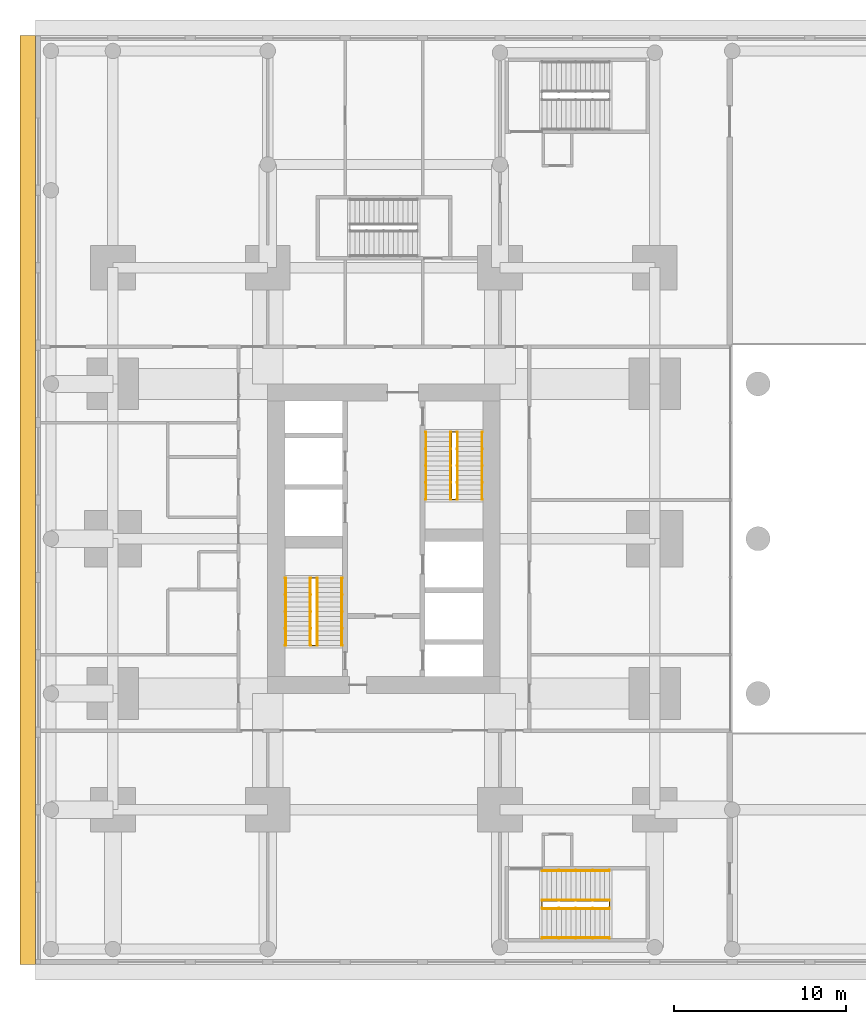
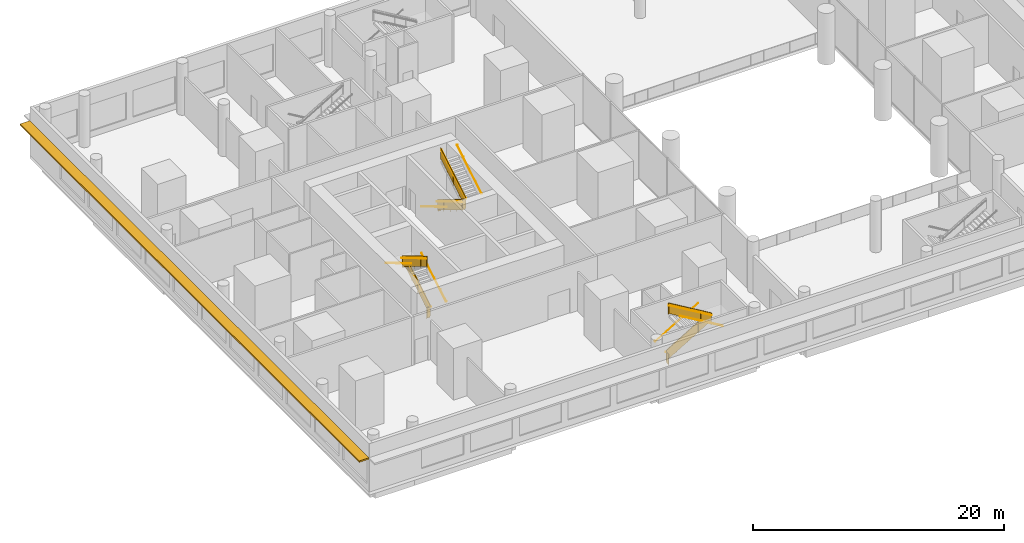
# One storey, part 18 of 21: 15 railings, 1 shading device.
"""IFC4 building model written with IfcOpenShell, lengths in metres."""

from ifc_helpers import new_model, si_unit, direction, frame, origin, origin_2d, place, context, subcontext, project, spatial, polyline, rectangle, circle, outline, extrude, material, layer, layer_set, type_object, element, save


model = new_model("IFC4")

# Units and contexts
model_context = context("Model", 3, precision=1e-05, world=origin(), true_north=direction((0.0, 1.0)))
body_context = subcontext(model_context, "Body", "Model", "MODEL_VIEW")
ifc_project = project(units=[si_unit("LENGTHUNIT", "METRE"), si_unit("AREAUNIT", "SQUARE_METRE"), si_unit("VOLUMEUNIT", "CUBIC_METRE"), si_unit("PLANEANGLEUNIT", "RADIAN"), si_unit("MASSUNIT", "GRAM", prefix="KILO")], contexts=[model_context])

# Site, building, storey
site_placement = place(None, origin())
site = spatial("IfcSite", under=ifc_project, at=site_placement, CompositionType="ELEMENT")
building_placement = place(site_placement, origin())
building = spatial("IfcBuilding", under=site, at=building_placement, Name="Namib Vertical Campus", CompositionType="ELEMENT")
storey_placement = place(building_placement, frame((0.0, 0.0, 6.0)))
storey = spatial("IfcBuildingStorey", under=building, at=storey_placement, Name="L01", CompositionType="ELEMENT", Elevation=6.0)

# Railings
ifc_material_1 = material(Name="Steel handrail", Category="steel")
railing_type_1 = type_object("IfcRailingType", Name="Handrail 900", PredefinedType="HANDRAIL", material=ifc_material_1)
railing_1_placement = place(storey_placement, frame((17.800048828125, 14.050048828125, 0.166748046875)))
element("IfcRailing", 1, at=railing_1_placement, inside=storey, type_object=railing_type_1, Name="Handrail HR1 A-S1 L01 1", PredefinedType="HANDRAIL", context=body_context, shape_type="SweptSolid", body=[
    extrude(circle(Radius=0.02392578125, at=origin_2d()), frame((0.0, 0.0, 0.8759765625), z_axis=(0.0, 0.859296244711, 0.511478214419), x_axis=(-1.0, 0.0, 0.0)), (0.0, 0.0, 1.0), 4.561767578125),
    extrude(circle(Radius=0.008056640625, at=origin_2d()), frame((0.0, 0.0, 0.8759765625), z_axis=(1.0, 0.0, 0.0), x_axis=(0.0, 0.0, 1.0)), (0.0, 0.0, 1.0), 0.050048828125),
    extrude(circle(Radius=0.008056640625, at=origin_2d()), frame((0.0, 0.97998046875, 1.459228515625), z_axis=(1.0, 0.0, 0.0), x_axis=(0.0, 0.0, 1.0)), (0.0, 0.0, 1.0), 0.050048828125),
    extrude(circle(Radius=0.008056640625, at=origin_2d()), frame((0.0, 1.9599609375, 2.04248046875), z_axis=(1.0, 0.0, 0.0), x_axis=(0.0, 0.0, 1.0)), (0.0, 0.0, 1.0), 0.050048828125),
    extrude(circle(Radius=0.008056640625, at=origin_2d()), frame((0.0, 2.93994140625, 2.625732421875), z_axis=(1.0, 0.0, 0.0), x_axis=(0.0, 0.0, 1.0)), (0.0, 0.0, 1.0), 0.050048828125),
    extrude(circle(Radius=0.008056640625, at=origin_2d()), frame((0.0, 3.919921875, 3.208984375), z_axis=(1.0, 0.0, 0.0), x_axis=(0.0, 0.0, 1.0)), (0.0, 0.0, 1.0), 0.050048828125),
])
railing_2_placement = place(storey_placement, frame((14.550048828125, 17.969970703125, 2.666748046875)))
element("IfcRailing", 2, at=railing_2_placement, inside=storey, type_object=railing_type_1, Name="Handrail HR1 A-S1 L01 2", PredefinedType="HANDRAIL", context=body_context, shape_type="SweptSolid", body=[
    extrude(circle(Radius=0.02392578125, at=origin_2d()), frame((0.0, 0.0, 0.8759765625), z_axis=(0.0, -0.859296244711, 0.511478214419), x_axis=(1.0, 0.0, 0.0)), (0.0, 0.0, 1.0), 4.561767578125),
    extrude(circle(Radius=0.008056640625, at=origin_2d()), frame((0.0, 0.0, 0.8759765625), z_axis=(-1.0, 0.0, 0.0), x_axis=(0.0, 0.0, 1.0)), (0.0, 0.0, 1.0), 0.050048828125),
    extrude(circle(Radius=0.008056640625, at=origin_2d()), frame((0.0, -0.97998046875, 1.459228515625), z_axis=(-1.0, 0.0, 0.0), x_axis=(0.0, 0.0, 1.0)), (0.0, 0.0, 1.0), 0.050048828125),
    extrude(circle(Radius=0.008056640625, at=origin_2d()), frame((0.0, -1.9599609375, 2.04248046875), z_axis=(-1.0, 0.0, 0.0), x_axis=(0.0, 0.0, 1.0)), (0.0, 0.0, 1.0), 0.050048828125),
    extrude(circle(Radius=0.008056640625, at=origin_2d()), frame((0.0, -2.93994140625, 2.625732421875), z_axis=(-1.0, 0.0, 0.0), x_axis=(0.0, 0.0, 1.0)), (0.0, 0.0, 1.0), 0.050048828125),
    extrude(circle(Radius=0.008056640625, at=origin_2d()), frame((0.0, -3.919921875, 3.208984375), z_axis=(-1.0, 0.0, 0.0), x_axis=(0.0, 0.0, 1.0)), (0.0, 0.0, 1.0), 0.050048828125),
])
railing_3_placement = place(storey_placement, frame((16.375, 14.050048828125, 0.166748046875)))
element("IfcRailing", 3, at=railing_3_placement, inside=storey, type_object=railing_type_1, Name="Handrail HR1 A-S1 L01 1 at the well", PredefinedType="HANDRAIL", context=body_context, shape_type="SweptSolid", body=[
    extrude(circle(Radius=0.02392578125, at=origin_2d()), frame((0.0, 0.0, 0.8759765625), z_axis=(0.0, 0.859296244711, 0.511478214419), x_axis=(-1.0, 0.0, 0.0)), (0.0, 0.0, 1.0), 4.561767578125),
    extrude(circle(Radius=0.008056640625, at=origin_2d()), frame((0.0, 0.0, 0.8759765625), z_axis=(-1.0, 0.0, 0.0), x_axis=(0.0, 0.0, 1.0)), (0.0, 0.0, 1.0), 0.0400390625),
    extrude(circle(Radius=0.008056640625, at=origin_2d()), frame((0.0, 0.97998046875, 1.459228515625), z_axis=(-1.0, 0.0, 0.0), x_axis=(0.0, 0.0, 1.0)), (0.0, 0.0, 1.0), 0.0400390625),
    extrude(circle(Radius=0.008056640625, at=origin_2d()), frame((0.0, 1.9599609375, 2.04248046875), z_axis=(-1.0, 0.0, 0.0), x_axis=(0.0, 0.0, 1.0)), (0.0, 0.0, 1.0), 0.0400390625),
    extrude(circle(Radius=0.008056640625, at=origin_2d()), frame((0.0, 2.93994140625, 2.625732421875), z_axis=(-1.0, 0.0, 0.0), x_axis=(0.0, 0.0, 1.0)), (0.0, 0.0, 1.0), 0.0400390625),
    extrude(circle(Radius=0.008056640625, at=origin_2d()), frame((0.0, 3.919921875, 3.208984375), z_axis=(-1.0, 0.0, 0.0), x_axis=(0.0, 0.0, 1.0)), (0.0, 0.0, 1.0), 0.0400390625),
])
railing_4_placement = place(storey_placement, frame((15.97509765625, 17.969970703125, 2.666748046875)))
element("IfcRailing", 4, at=railing_4_placement, inside=storey, type_object=railing_type_1, Name="Handrail HR1 A-S1 L01 2 at the well", PredefinedType="HANDRAIL", context=body_context, shape_type="SweptSolid", body=[
    extrude(circle(Radius=0.02392578125, at=origin_2d()), frame((0.0, 0.0, 0.8759765625), z_axis=(0.0, -0.859296244711, 0.511478214419), x_axis=(1.0, 0.0, 0.0)), (0.0, 0.0, 1.0), 4.561767578125),
    extrude(circle(Radius=0.008056640625, at=origin_2d()), frame((0.0, 0.0, 0.8759765625), z_axis=(1.0, 0.0, 0.0), x_axis=(0.0, 0.0, 1.0)), (0.0, 0.0, 1.0), 0.0400390625),
    extrude(circle(Radius=0.008056640625, at=origin_2d()), frame((0.0, -0.97998046875, 1.459228515625), z_axis=(1.0, 0.0, 0.0), x_axis=(0.0, 0.0, 1.0)), (0.0, 0.0, 1.0), 0.0400390625),
    extrude(circle(Radius=0.008056640625, at=origin_2d()), frame((0.0, -1.9599609375, 2.04248046875), z_axis=(1.0, 0.0, 0.0), x_axis=(0.0, 0.0, 1.0)), (0.0, 0.0, 1.0), 0.0400390625),
    extrude(circle(Radius=0.008056640625, at=origin_2d()), frame((0.0, -2.93994140625, 2.625732421875), z_axis=(1.0, 0.0, 0.0), x_axis=(0.0, 0.0, 1.0)), (0.0, 0.0, 1.0), 0.0400390625),
    extrude(circle(Radius=0.008056640625, at=origin_2d()), frame((0.0, -3.919921875, 3.208984375), z_axis=(1.0, 0.0, 0.0), x_axis=(0.0, 0.0, 1.0)), (0.0, 0.0, 1.0), 0.0400390625),
])
railing_5_placement = place(storey_placement, frame((22.699951171875, 26.449951171875, 0.166748046875)))
element("IfcRailing", 5, at=railing_5_placement, inside=storey, type_object=railing_type_1, Name="Handrail HR1 A-S2 L01 1", PredefinedType="HANDRAIL", context=body_context, shape_type="SweptSolid", body=[
    extrude(circle(Radius=0.02392578125, at=origin_2d()), frame((0.0, 0.0, 0.8759765625), z_axis=(0.0, -0.859296244711, 0.511478214419), x_axis=(1.0, 0.0, 0.0)), (0.0, 0.0, 1.0), 4.561767578125),
    extrude(circle(Radius=0.008056640625, at=origin_2d()), frame((0.0, 0.0, 0.8759765625), z_axis=(-1.0, 0.0, 0.0), x_axis=(0.0, 0.0, 1.0)), (0.0, 0.0, 1.0), 0.050048828125),
    extrude(circle(Radius=0.008056640625, at=origin_2d()), frame((0.0, -0.97998046875, 1.459228515625), z_axis=(-1.0, 0.0, 0.0), x_axis=(0.0, 0.0, 1.0)), (0.0, 0.0, 1.0), 0.050048828125),
    extrude(circle(Radius=0.008056640625, at=origin_2d()), frame((0.0, -1.9599609375, 2.04248046875), z_axis=(-1.0, 0.0, 0.0), x_axis=(0.0, 0.0, 1.0)), (0.0, 0.0, 1.0), 0.050048828125),
    extrude(circle(Radius=0.008056640625, at=origin_2d()), frame((0.0, -2.93994140625, 2.625732421875), z_axis=(-1.0, 0.0, 0.0), x_axis=(0.0, 0.0, 1.0)), (0.0, 0.0, 1.0), 0.050048828125),
    extrude(circle(Radius=0.008056640625, at=origin_2d()), frame((0.0, -3.919921875, 3.208984375), z_axis=(-1.0, 0.0, 0.0), x_axis=(0.0, 0.0, 1.0)), (0.0, 0.0, 1.0), 0.050048828125),
])
railing_6_placement = place(storey_placement, frame((25.949951171875, 22.530029296875, 2.666748046875)))
element("IfcRailing", 6, at=railing_6_placement, inside=storey, type_object=railing_type_1, Name="Handrail HR1 A-S2 L01 2", PredefinedType="HANDRAIL", context=body_context, shape_type="SweptSolid", body=[
    extrude(circle(Radius=0.02392578125, at=origin_2d()), frame((0.0, 0.0, 0.8759765625), z_axis=(0.0, 0.859296244711, 0.511478214419), x_axis=(-1.0, 0.0, 0.0)), (0.0, 0.0, 1.0), 4.561767578125),
    extrude(circle(Radius=0.008056640625, at=origin_2d()), frame((0.0, 0.0, 0.8759765625), z_axis=(1.0, 0.0, 0.0), x_axis=(0.0, 0.0, 1.0)), (0.0, 0.0, 1.0), 0.050048828125),
    extrude(circle(Radius=0.008056640625, at=origin_2d()), frame((0.0, 0.97998046875, 1.459228515625), z_axis=(1.0, 0.0, 0.0), x_axis=(0.0, 0.0, 1.0)), (0.0, 0.0, 1.0), 0.050048828125),
    extrude(circle(Radius=0.008056640625, at=origin_2d()), frame((0.0, 1.9599609375, 2.04248046875), z_axis=(1.0, 0.0, 0.0), x_axis=(0.0, 0.0, 1.0)), (0.0, 0.0, 1.0), 0.050048828125),
    extrude(circle(Radius=0.008056640625, at=origin_2d()), frame((0.0, 2.93994140625, 2.625732421875), z_axis=(1.0, 0.0, 0.0), x_axis=(0.0, 0.0, 1.0)), (0.0, 0.0, 1.0), 0.050048828125),
    extrude(circle(Radius=0.008056640625, at=origin_2d()), frame((0.0, 3.919921875, 3.208984375), z_axis=(1.0, 0.0, 0.0), x_axis=(0.0, 0.0, 1.0)), (0.0, 0.0, 1.0), 0.050048828125),
])
railing_7_placement = place(storey_placement, frame((24.125, 26.449951171875, 0.166748046875)))
element("IfcRailing", 7, at=railing_7_placement, inside=storey, type_object=railing_type_1, Name="Handrail HR1 A-S2 L01 1 at the well", PredefinedType="HANDRAIL", context=body_context, shape_type="SweptSolid", body=[
    extrude(circle(Radius=0.02392578125, at=origin_2d()), frame((0.0, 0.0, 0.8759765625), z_axis=(0.0, -0.859296244711, 0.511478214419), x_axis=(1.0, 0.0, 0.0)), (0.0, 0.0, 1.0), 4.561767578125),
    extrude(circle(Radius=0.008056640625, at=origin_2d()), frame((0.0, 0.0, 0.8759765625), z_axis=(1.0, 0.0, 0.0), x_axis=(0.0, 0.0, 1.0)), (0.0, 0.0, 1.0), 0.0400390625),
    extrude(circle(Radius=0.008056640625, at=origin_2d()), frame((0.0, -0.97998046875, 1.459228515625), z_axis=(1.0, 0.0, 0.0), x_axis=(0.0, 0.0, 1.0)), (0.0, 0.0, 1.0), 0.0400390625),
    extrude(circle(Radius=0.008056640625, at=origin_2d()), frame((0.0, -1.9599609375, 2.04248046875), z_axis=(1.0, 0.0, 0.0), x_axis=(0.0, 0.0, 1.0)), (0.0, 0.0, 1.0), 0.0400390625),
    extrude(circle(Radius=0.008056640625, at=origin_2d()), frame((0.0, -2.93994140625, 2.625732421875), z_axis=(1.0, 0.0, 0.0), x_axis=(0.0, 0.0, 1.0)), (0.0, 0.0, 1.0), 0.0400390625),
    extrude(circle(Radius=0.008056640625, at=origin_2d()), frame((0.0, -3.919921875, 3.208984375), z_axis=(1.0, 0.0, 0.0), x_axis=(0.0, 0.0, 1.0)), (0.0, 0.0, 1.0), 0.0400390625),
])
railing_8_placement = place(storey_placement, frame((24.52490234375, 22.530029296875, 2.666748046875)))
element("IfcRailing", 8, at=railing_8_placement, inside=storey, type_object=railing_type_1, Name="Handrail HR1 A-S2 L01 2 at the well", PredefinedType="HANDRAIL", context=body_context, shape_type="SweptSolid", body=[
    extrude(circle(Radius=0.02392578125, at=origin_2d()), frame((0.0, 0.0, 0.8759765625), z_axis=(0.0, 0.859296244711, 0.511478214419), x_axis=(-1.0, 0.0, 0.0)), (0.0, 0.0, 1.0), 4.561767578125),
    extrude(circle(Radius=0.008056640625, at=origin_2d()), frame((0.0, 0.0, 0.8759765625), z_axis=(-1.0, 0.0, 0.0), x_axis=(0.0, 0.0, 1.0)), (0.0, 0.0, 1.0), 0.0400390625),
    extrude(circle(Radius=0.008056640625, at=origin_2d()), frame((0.0, 0.97998046875, 1.459228515625), z_axis=(-1.0, 0.0, 0.0), x_axis=(0.0, 0.0, 1.0)), (0.0, 0.0, 1.0), 0.0400390625),
    extrude(circle(Radius=0.008056640625, at=origin_2d()), frame((0.0, 1.9599609375, 2.04248046875), z_axis=(-1.0, 0.0, 0.0), x_axis=(0.0, 0.0, 1.0)), (0.0, 0.0, 1.0), 0.0400390625),
    extrude(circle(Radius=0.008056640625, at=origin_2d()), frame((0.0, 2.93994140625, 2.625732421875), z_axis=(-1.0, 0.0, 0.0), x_axis=(0.0, 0.0, 1.0)), (0.0, 0.0, 1.0), 0.0400390625),
    extrude(circle(Radius=0.008056640625, at=origin_2d()), frame((0.0, 3.919921875, 3.208984375), z_axis=(-1.0, 0.0, 0.0), x_axis=(0.0, 0.0, 1.0)), (0.0, 0.0, 1.0), 0.0400390625),
])
railing_9_placement = place(storey_placement, frame((29.446044921875, 0.949951171875, 0.166748046875)))
element("IfcRailing", 9, at=railing_9_placement, inside=storey, type_object=railing_type_1, Name="Handrail HR1 P-S2 L01 1", PredefinedType="HANDRAIL", context=body_context, shape_type="SweptSolid", body=[
    extrude(circle(Radius=0.02392578125, at=origin_2d()), frame((0.0, 0.0, 0.8759765625), z_axis=(0.859310244771, 0.0, 0.511454693235), x_axis=(0.0, 1.0, 0.0)), (0.0, 0.0, 1.0), 4.56201171875),
    extrude(circle(Radius=0.008056640625, at=origin_2d()), frame((0.0, 0.0, 0.8759765625), z_axis=(0.0, 1.0, 0.0), x_axis=(0.0, 0.0, 1.0)), (0.0, 0.0, 1.0), 0.050048828125),
    extrude(circle(Radius=0.008056640625, at=origin_2d()), frame((0.97998046875, 0.0, 1.459228515625), z_axis=(0.0, 1.0, 0.0), x_axis=(0.0, 0.0, 1.0)), (0.0, 0.0, 1.0), 0.050048828125),
    extrude(circle(Radius=0.008056640625, at=origin_2d()), frame((1.9599609375, 0.0, 2.04248046875), z_axis=(0.0, 1.0, 0.0), x_axis=(0.0, 0.0, 1.0)), (0.0, 0.0, 1.0), 0.050048828125),
    extrude(circle(Radius=0.008056640625, at=origin_2d()), frame((2.940185546875, 0.0, 2.625732421875), z_axis=(0.0, 1.0, 0.0), x_axis=(0.0, 0.0, 1.0)), (0.0, 0.0, 1.0), 0.050048828125),
    extrude(circle(Radius=0.008056640625, at=origin_2d()), frame((3.920166015625, 0.0, 3.208984375), z_axis=(0.0, 1.0, 0.0), x_axis=(0.0, 0.0, 1.0)), (0.0, 0.0, 1.0), 0.050048828125),
])
railing_10_placement = place(storey_placement, frame((33.3662109375, -2.949951171875, 2.666748046875)))
element("IfcRailing", 10, at=railing_10_placement, inside=storey, type_object=railing_type_1, Name="Handrail HR1 P-S2 L01 2", PredefinedType="HANDRAIL", context=body_context, shape_type="SweptSolid", body=[
    extrude(circle(Radius=0.02392578125, at=origin_2d()), frame((0.0, 0.0, 0.8759765625), z_axis=(-0.859310244771, 0.0, 0.511454693235), x_axis=(0.0, -1.0, 0.0)), (0.0, 0.0, 1.0), 4.56201171875),
    extrude(circle(Radius=0.008056640625, at=origin_2d()), frame((0.0, 0.0, 0.8759765625), z_axis=(0.0, -1.0, 0.0), x_axis=(0.0, 0.0, 1.0)), (0.0, 0.0, 1.0), 0.050048828125),
    extrude(circle(Radius=0.008056640625, at=origin_2d()), frame((-0.97998046875, 0.0, 1.459228515625), z_axis=(0.0, -1.0, 0.0), x_axis=(0.0, 0.0, 1.0)), (0.0, 0.0, 1.0), 0.050048828125),
    extrude(circle(Radius=0.008056640625, at=origin_2d()), frame((-1.9599609375, 0.0, 2.04248046875), z_axis=(0.0, -1.0, 0.0), x_axis=(0.0, 0.0, 1.0)), (0.0, 0.0, 1.0), 0.050048828125),
    extrude(circle(Radius=0.008056640625, at=origin_2d()), frame((-2.940185546875, 0.0, 2.625732421875), z_axis=(0.0, -1.0, 0.0), x_axis=(0.0, 0.0, 1.0)), (0.0, 0.0, 1.0), 0.050048828125),
    extrude(circle(Radius=0.008056640625, at=origin_2d()), frame((-3.920166015625, 0.0, 3.208984375), z_axis=(0.0, -1.0, 0.0), x_axis=(0.0, 0.0, 1.0)), (0.0, 0.0, 1.0), 0.050048828125),
])
railing_11_placement = place(storey_placement, frame((29.446044921875, -0.75, 0.166748046875)))
element("IfcRailing", 11, at=railing_11_placement, inside=storey, type_object=railing_type_1, Name="Handrail HR1 P-S2 L01 1 at the well", PredefinedType="HANDRAIL", context=body_context, shape_type="SweptSolid", body=[
    extrude(circle(Radius=0.02392578125, at=origin_2d()), frame((0.0, 0.0, 0.8759765625), z_axis=(0.859310244771, 0.0, 0.511454693235), x_axis=(0.0, 1.0, 0.0)), (0.0, 0.0, 1.0), 4.56201171875),
    extrude(circle(Radius=0.008056640625, at=origin_2d()), frame((0.0, 0.0, 0.8759765625), z_axis=(0.0, -1.0, 0.0), x_axis=(0.0, 0.0, 1.0)), (0.0, 0.0, 1.0), 0.0400390625),
    extrude(circle(Radius=0.008056640625, at=origin_2d()), frame((0.97998046875, 0.0, 1.459228515625), z_axis=(0.0, -1.0, 0.0), x_axis=(0.0, 0.0, 1.0)), (0.0, 0.0, 1.0), 0.0400390625),
    extrude(circle(Radius=0.008056640625, at=origin_2d()), frame((1.9599609375, 0.0, 2.04248046875), z_axis=(0.0, -1.0, 0.0), x_axis=(0.0, 0.0, 1.0)), (0.0, 0.0, 1.0), 0.0400390625),
    extrude(circle(Radius=0.008056640625, at=origin_2d()), frame((2.940185546875, 0.0, 2.625732421875), z_axis=(0.0, -1.0, 0.0), x_axis=(0.0, 0.0, 1.0)), (0.0, 0.0, 1.0), 0.0400390625),
    extrude(circle(Radius=0.008056640625, at=origin_2d()), frame((3.920166015625, 0.0, 3.208984375), z_axis=(0.0, -1.0, 0.0), x_axis=(0.0, 0.0, 1.0)), (0.0, 0.0, 1.0), 0.0400390625),
])
railing_12_placement = place(storey_placement, frame((33.3662109375, -1.25, 2.666748046875)))
element("IfcRailing", 12, at=railing_12_placement, inside=storey, type_object=railing_type_1, Name="Handrail HR1 P-S2 L01 2 at the well", PredefinedType="HANDRAIL", context=body_context, shape_type="SweptSolid", body=[
    extrude(circle(Radius=0.02392578125, at=origin_2d()), frame((0.0, 0.0, 0.8759765625), z_axis=(-0.859310244771, 0.0, 0.511454693235), x_axis=(0.0, -1.0, 0.0)), (0.0, 0.0, 1.0), 4.56201171875),
    extrude(circle(Radius=0.008056640625, at=origin_2d()), frame((0.0, 0.0, 0.8759765625), z_axis=(0.0, 1.0, 0.0), x_axis=(0.0, 0.0, 1.0)), (0.0, 0.0, 1.0), 0.0400390625),
    extrude(circle(Radius=0.008056640625, at=origin_2d()), frame((-0.97998046875, 0.0, 1.459228515625), z_axis=(0.0, 1.0, 0.0), x_axis=(0.0, 0.0, 1.0)), (0.0, 0.0, 1.0), 0.0400390625),
    extrude(circle(Radius=0.008056640625, at=origin_2d()), frame((-1.9599609375, 0.0, 2.04248046875), z_axis=(0.0, 1.0, 0.0), x_axis=(0.0, 0.0, 1.0)), (0.0, 0.0, 1.0), 0.0400390625),
    extrude(circle(Radius=0.008056640625, at=origin_2d()), frame((-2.940185546875, 0.0, 2.625732421875), z_axis=(0.0, 1.0, 0.0), x_axis=(0.0, 0.0, 1.0)), (0.0, 0.0, 1.0), 0.0400390625),
    extrude(circle(Radius=0.008056640625, at=origin_2d()), frame((-3.920166015625, 0.0, 3.208984375), z_axis=(0.0, 1.0, 0.0), x_axis=(0.0, 0.0, 1.0)), (0.0, 0.0, 1.0), 0.0400390625),
])
ifc_material_2 = material(Name="Steel balustrade", Category="steel")
railing_type_2 = type_object("IfcRailingType", Name="Stair guard 1100", PredefinedType="GUARDRAIL", material=ifc_material_2)
railing_13_placement = place(storey_placement, frame((16.02490234375, 14.050048828125, 0.0)))
element("IfcRailing", 13, at=railing_13_placement, inside=storey, type_object=railing_type_2, Name="Stair guard GR1 A-S1 L01", PredefinedType="GUARDRAIL", context=body_context, shape_type="SweptSolid", body=[
    extrude(circle(Radius=0.02392578125, at=origin_2d()), frame((0.0, 0.0, 1.076171875), z_axis=(1.0, 0.0, 0.0), x_axis=(0.0, 1.0, 0.0)), (0.0, 0.0, 1.0), 0.300048828125),
    extrude(outline(polyline([(0.02099609375, 0.050048828125), (0.279052734375, 0.050048828125), (0.279052734375, 1.052001953125), (0.02099609375, 1.052001953125), (0.02099609375, 0.050048828125)])), frame((0.0, 0.010009765625, 0.0), z_axis=(0.0, -1.0, 0.0), x_axis=(1.0, 0.0, 0.0)), (0.0, 0.0, 1.0), 0.02001953125),
    extrude(circle(Radius=0.02392578125, at=origin_2d()), frame((0.300048828125, 0.0, 1.076171875), z_axis=(0.0, 0.0, 1.0), x_axis=(1.0, 0.0, 0.0)), (0.0, 0.0, 1.0), 0.166748046875),
    extrude(circle(Radius=0.02392578125, at=origin_2d()), frame((0.300048828125, 0.0, 1.24267578125), z_axis=(0.0, 0.859296244711, 0.511478214419), x_axis=(-1.0, 0.0, 0.0)), (0.0, 0.0, 1.0), 4.561767578125),
    extrude(outline(polyline([(0.02099609375, 0.0625), (3.89892578125, 2.370849609375), (3.89892578125, 3.372802734375), (0.02099609375, 1.064453125), (0.02099609375, 0.0625)])), frame((0.2900390625, 0.0, 0.166748046875), z_axis=(1.0, 0.0, 0.0), x_axis=(0.0, 1.0, 0.0)), (0.0, 0.0, 1.0), 0.02001953125),
    extrude(circle(Radius=0.02392578125, at=origin_2d()), frame((0.300048828125, 3.919921875, 3.576171875), z_axis=(-1.0, 0.0, 0.0), x_axis=(0.0, -1.0, 0.0)), (0.0, 0.0, 1.0), 0.300048828125),
    extrude(outline(polyline([(0.02099609375, 0.050048828125), (0.279052734375, 0.050048828125), (0.279052734375, 1.052001953125), (0.02099609375, 1.052001953125), (0.02099609375, 0.050048828125)])), frame((0.300048828125, 3.909912109375, 2.5), z_axis=(0.0, 1.0, 0.0), x_axis=(-1.0, 0.0, 0.0)), (0.0, 0.0, 1.0), 0.02001953125),
    extrude(circle(Radius=0.02392578125, at=origin_2d()), frame((0.0, 3.919921875, 3.576171875), z_axis=(0.0, 0.0, 1.0), x_axis=(1.0, 0.0, 0.0)), (0.0, 0.0, 1.0), 0.166748046875),
    extrude(circle(Radius=0.02392578125, at=origin_2d()), frame((0.0, 3.919921875, 3.74267578125), z_axis=(0.0, -0.859296244711, 0.511478214419), x_axis=(1.0, 0.0, 0.0)), (0.0, 0.0, 1.0), 4.561767578125),
    extrude(outline(polyline([(0.02099609375, 0.0625), (3.89892578125, 2.370849609375), (3.89892578125, 3.372802734375), (0.02099609375, 1.064453125), (0.02099609375, 0.0625)])), frame((0.010009765625, 3.919921875, 2.666748046875), z_axis=(-1.0, 0.0, 0.0), x_axis=(0.0, -1.0, 0.0)), (0.0, 0.0, 1.0), 0.02001953125),
    extrude(circle(Radius=0.02392578125, at=origin_2d()), frame((0.0, 0.0, 6.076171875), z_axis=(0.0, -1.0, 0.0), x_axis=(1.0, 0.0, 0.0)), (0.0, 0.0, 1.0), 0.050048828125),
    extrude(outline(polyline([(0.02099609375, 0.050048828125), (0.029052734375, 0.050048828125), (0.029052734375, 1.052001953125), (0.02099609375, 1.052001953125), (0.02099609375, 0.050048828125)])), frame((0.010009765625, 0.0, 5.0), z_axis=(-1.0, 0.0, 0.0), x_axis=(0.0, -1.0, 0.0)), (0.0, 0.0, 1.0), 0.02001953125),
    extrude(circle(Radius=0.02099609375, at=origin_2d()), origin(), (0.0, 0.0, 1.0), 1.052001953125),
    extrude(circle(Radius=0.02099609375, at=origin_2d()), frame((0.300048828125, 0.0, 0.166748046875)), (0.0, 0.0, 1.0), 1.052001953125),
    extrude(circle(Radius=0.02099609375, at=origin_2d()), frame((0.300048828125, 0.97998046875, 0.666748046875)), (0.0, 0.0, 1.0), 1.13525390625),
    extrude(circle(Radius=0.02099609375, at=origin_2d()), frame((0.300048828125, 1.9599609375, 1.166748046875)), (0.0, 0.0, 1.0), 1.218505859375),
    extrude(circle(Radius=0.02099609375, at=origin_2d()), frame((0.300048828125, 2.93994140625, 1.83349609375)), (0.0, 0.0, 1.0), 1.13525390625),
    extrude(circle(Radius=0.02099609375, at=origin_2d()), frame((0.300048828125, 3.919921875, 2.5)), (0.0, 0.0, 1.0), 1.052001953125),
    extrude(circle(Radius=0.02099609375, at=origin_2d()), frame((0.0, 3.919921875, 2.666748046875)), (0.0, 0.0, 1.0), 1.052001953125),
    extrude(circle(Radius=0.02099609375, at=origin_2d()), frame((0.0, 2.93994140625, 3.166748046875)), (0.0, 0.0, 1.0), 1.13525390625),
    extrude(circle(Radius=0.02099609375, at=origin_2d()), frame((0.0, 1.9599609375, 3.666748046875)), (0.0, 0.0, 1.0), 1.218505859375),
    extrude(circle(Radius=0.02099609375, at=origin_2d()), frame((0.0, 0.97998046875, 4.33349609375)), (0.0, 0.0, 1.0), 1.13525390625),
    extrude(circle(Radius=0.02099609375, at=origin_2d()), frame((0.0, 0.0, 5.0)), (0.0, 0.0, 1.0), 1.052001953125),
    extrude(circle(Radius=0.02099609375, at=origin_2d()), frame((0.0, -0.050048828125, 5.0)), (0.0, 0.0, 1.0), 1.052001953125),
])
railing_14_placement = place(storey_placement, frame((24.47509765625, 26.449951171875, 0.0)))
element("IfcRailing", 14, at=railing_14_placement, inside=storey, type_object=railing_type_2, Name="Stair guard GR1 A-S2 L01", PredefinedType="GUARDRAIL", context=body_context, shape_type="SweptSolid", body=[
    extrude(circle(Radius=0.02392578125, at=origin_2d()), frame((0.0, 0.0, 1.076171875), z_axis=(-1.0, 0.0, 0.0), x_axis=(0.0, -1.0, 0.0)), (0.0, 0.0, 1.0), 0.300048828125),
    extrude(outline(polyline([(0.02099609375, 0.050048828125), (0.279052734375, 0.050048828125), (0.279052734375, 1.052001953125), (0.02099609375, 1.052001953125), (0.02099609375, 0.050048828125)])), frame((0.0, -0.010009765625, 0.0), z_axis=(0.0, 1.0, 0.0), x_axis=(-1.0, 0.0, 0.0)), (0.0, 0.0, 1.0), 0.02001953125),
    extrude(circle(Radius=0.02392578125, at=origin_2d()), frame((-0.300048828125, 0.0, 1.076171875), z_axis=(0.0, 0.0, 1.0), x_axis=(1.0, 0.0, 0.0)), (0.0, 0.0, 1.0), 0.166748046875),
    extrude(circle(Radius=0.02392578125, at=origin_2d()), frame((-0.300048828125, 0.0, 1.24267578125), z_axis=(0.0, -0.859296244711, 0.511478214419), x_axis=(1.0, 0.0, 0.0)), (0.0, 0.0, 1.0), 4.561767578125),
    extrude(outline(polyline([(0.02099609375, 0.0625), (3.89892578125, 2.370849609375), (3.89892578125, 3.372802734375), (0.02099609375, 1.064453125), (0.02099609375, 0.0625)])), frame((-0.2900390625, 0.0, 0.166748046875), z_axis=(-1.0, 0.0, 0.0), x_axis=(0.0, -1.0, 0.0)), (0.0, 0.0, 1.0), 0.02001953125),
    extrude(circle(Radius=0.02392578125, at=origin_2d()), frame((-0.300048828125, -3.919921875, 3.576171875), z_axis=(1.0, 0.0, 0.0), x_axis=(0.0, 1.0, 0.0)), (0.0, 0.0, 1.0), 0.300048828125),
    extrude(outline(polyline([(0.02099609375, 0.050048828125), (0.279052734375, 0.050048828125), (0.279052734375, 1.052001953125), (0.02099609375, 1.052001953125), (0.02099609375, 0.050048828125)])), frame((-0.300048828125, -3.909912109375, 2.5), z_axis=(0.0, -1.0, 0.0), x_axis=(1.0, 0.0, 0.0)), (0.0, 0.0, 1.0), 0.02001953125),
    extrude(circle(Radius=0.02392578125, at=origin_2d()), frame((0.0, -3.919921875, 3.576171875), z_axis=(0.0, 0.0, 1.0), x_axis=(1.0, 0.0, 0.0)), (0.0, 0.0, 1.0), 0.166748046875),
    extrude(circle(Radius=0.02392578125, at=origin_2d()), frame((0.0, -3.919921875, 3.74267578125), z_axis=(0.0, 0.859296244711, 0.511478214419), x_axis=(-1.0, 0.0, 0.0)), (0.0, 0.0, 1.0), 4.561767578125),
    extrude(outline(polyline([(0.02099609375, 0.0625), (3.89892578125, 2.370849609375), (3.89892578125, 3.372802734375), (0.02099609375, 1.064453125), (0.02099609375, 0.0625)])), frame((-0.010009765625, -3.919921875, 2.666748046875), z_axis=(1.0, 0.0, 0.0), x_axis=(0.0, 1.0, 0.0)), (0.0, 0.0, 1.0), 0.02001953125),
    extrude(circle(Radius=0.02392578125, at=origin_2d()), frame((0.0, 0.0, 6.076171875), z_axis=(0.0, 1.0, 0.0), x_axis=(-1.0, 0.0, 0.0)), (0.0, 0.0, 1.0), 0.050048828125),
    extrude(outline(polyline([(0.02099609375, 0.050048828125), (0.029052734375, 0.050048828125), (0.029052734375, 1.052001953125), (0.02099609375, 1.052001953125), (0.02099609375, 0.050048828125)])), frame((-0.010009765625, 0.0, 5.0), z_axis=(1.0, 0.0, 0.0), x_axis=(0.0, 1.0, 0.0)), (0.0, 0.0, 1.0), 0.02001953125),
    extrude(circle(Radius=0.02099609375, at=origin_2d()), origin(), (0.0, 0.0, 1.0), 1.052001953125),
    extrude(circle(Radius=0.02099609375, at=origin_2d()), frame((-0.300048828125, 0.0, 0.166748046875)), (0.0, 0.0, 1.0), 1.052001953125),
    extrude(circle(Radius=0.02099609375, at=origin_2d()), frame((-0.300048828125, -0.97998046875, 0.666748046875)), (0.0, 0.0, 1.0), 1.13525390625),
    extrude(circle(Radius=0.02099609375, at=origin_2d()), frame((-0.300048828125, -1.9599609375, 1.166748046875)), (0.0, 0.0, 1.0), 1.218505859375),
    extrude(circle(Radius=0.02099609375, at=origin_2d()), frame((-0.300048828125, -2.93994140625, 1.83349609375)), (0.0, 0.0, 1.0), 1.13525390625),
    extrude(circle(Radius=0.02099609375, at=origin_2d()), frame((-0.300048828125, -3.919921875, 2.5)), (0.0, 0.0, 1.0), 1.052001953125),
    extrude(circle(Radius=0.02099609375, at=origin_2d()), frame((0.0, -3.919921875, 2.666748046875)), (0.0, 0.0, 1.0), 1.052001953125),
    extrude(circle(Radius=0.02099609375, at=origin_2d()), frame((0.0, -2.93994140625, 3.166748046875)), (0.0, 0.0, 1.0), 1.13525390625),
    extrude(circle(Radius=0.02099609375, at=origin_2d()), frame((0.0, -1.9599609375, 3.666748046875)), (0.0, 0.0, 1.0), 1.218505859375),
    extrude(circle(Radius=0.02099609375, at=origin_2d()), frame((0.0, -0.97998046875, 4.33349609375)), (0.0, 0.0, 1.0), 1.13525390625),
    extrude(circle(Radius=0.02099609375, at=origin_2d()), frame((0.0, 0.0, 5.0)), (0.0, 0.0, 1.0), 1.052001953125),
    extrude(circle(Radius=0.02099609375, at=origin_2d()), frame((0.0, 0.050048828125, 5.0)), (0.0, 0.0, 1.0), 1.052001953125),
])
railing_15_placement = place(storey_placement, frame((29.446044921875, -1.199951171875, 0.0)))
element("IfcRailing", 15, at=railing_15_placement, inside=storey, type_object=railing_type_2, Name="Stair guard GR1 P-S2 L01", PredefinedType="GUARDRAIL", context=body_context, shape_type="SweptSolid", body=[
    extrude(circle(Radius=0.02392578125, at=origin_2d()), frame((0.0, 0.0, 1.076171875), z_axis=(0.0, 1.0, 0.0), x_axis=(-1.0, 0.0, 0.0)), (0.0, 0.0, 1.0), 0.39990234375),
    extrude(outline(polyline([(0.02099609375, 0.050048828125), (0.37890625, 0.050048828125), (0.37890625, 1.052001953125), (0.02099609375, 1.052001953125), (0.02099609375, 0.050048828125)])), frame((-0.010009765625, 0.0, 0.0), z_axis=(1.0, 0.0, 0.0), x_axis=(0.0, 1.0, 0.0)), (0.0, 0.0, 1.0), 0.02001953125),
    extrude(circle(Radius=0.02392578125, at=origin_2d()), frame((0.0, 0.39990234375, 1.076171875), z_axis=(0.0, 0.0, 1.0), x_axis=(1.0, 0.0, 0.0)), (0.0, 0.0, 1.0), 0.166748046875),
    extrude(circle(Radius=0.02392578125, at=origin_2d()), frame((0.0, 0.39990234375, 1.24267578125), z_axis=(0.859310244771, 0.0, 0.511454693235), x_axis=(0.0, 1.0, 0.0)), (0.0, 0.0, 1.0), 4.56201171875),
    extrude(outline(polyline([(0.02099609375, 0.0625), (3.899169921875, 2.370849609375), (3.899169921875, 3.372802734375), (0.02099609375, 1.064453125), (0.02099609375, 0.0625)])), frame((0.0, 0.409912109375, 0.166748046875), z_axis=(0.0, -1.0, 0.0), x_axis=(1.0, 0.0, 0.0)), (0.0, 0.0, 1.0), 0.02001953125),
    extrude(circle(Radius=0.02392578125, at=origin_2d()), frame((3.920166015625, 0.39990234375, 3.576171875), z_axis=(0.0, -1.0, 0.0), x_axis=(1.0, 0.0, 0.0)), (0.0, 0.0, 1.0), 0.39990234375),
    extrude(outline(polyline([(0.02099609375, 0.050048828125), (0.37890625, 0.050048828125), (0.37890625, 1.052001953125), (0.02099609375, 1.052001953125), (0.02099609375, 0.050048828125)])), frame((3.93017578125, 0.39990234375, 2.5), z_axis=(-1.0, 0.0, 0.0), x_axis=(0.0, -1.0, 0.0)), (0.0, 0.0, 1.0), 0.02001953125),
    extrude(circle(Radius=0.02392578125, at=origin_2d()), frame((3.920166015625, 0.0, 3.576171875), z_axis=(0.0, 0.0, 1.0), x_axis=(1.0, 0.0, 0.0)), (0.0, 0.0, 1.0), 0.166748046875),
    extrude(circle(Radius=0.02392578125, at=origin_2d()), frame((3.920166015625, 0.0, 3.74267578125), z_axis=(-0.859310244771, 0.0, 0.511454693235), x_axis=(0.0, -1.0, 0.0)), (0.0, 0.0, 1.0), 4.56201171875),
    extrude(outline(polyline([(0.02099609375, 0.0625), (3.899169921875, 2.370849609375), (3.899169921875, 3.372802734375), (0.02099609375, 1.064453125), (0.02099609375, 0.0625)])), frame((3.920166015625, -0.010009765625, 2.666748046875), z_axis=(0.0, 1.0, 0.0), x_axis=(-1.0, 0.0, 0.0)), (0.0, 0.0, 1.0), 0.02001953125),
    extrude(circle(Radius=0.02392578125, at=origin_2d()), frame((0.0, 0.0, 6.076171875), z_axis=(-1.0, 0.0, 0.0), x_axis=(0.0, -1.0, 0.0)), (0.0, 0.0, 1.0), 0.050048828125),
    extrude(outline(polyline([(0.02099609375, 0.050048828125), (0.029052734375, 0.050048828125), (0.029052734375, 1.052001953125), (0.02099609375, 1.052001953125), (0.02099609375, 0.050048828125)])), frame((0.0, -0.010009765625, 5.0), z_axis=(0.0, 1.0, 0.0), x_axis=(-1.0, 0.0, 0.0)), (0.0, 0.0, 1.0), 0.02001953125),
    extrude(circle(Radius=0.02099609375, at=origin_2d()), origin(), (0.0, 0.0, 1.0), 1.052001953125),
    extrude(circle(Radius=0.02099609375, at=origin_2d()), frame((0.0, 0.39990234375, 0.166748046875)), (0.0, 0.0, 1.0), 1.052001953125),
    extrude(circle(Radius=0.02099609375, at=origin_2d()), frame((0.97998046875, 0.39990234375, 0.666748046875)), (0.0, 0.0, 1.0), 1.13525390625),
    extrude(circle(Radius=0.02099609375, at=origin_2d()), frame((1.9599609375, 0.39990234375, 1.33349609375)), (0.0, 0.0, 1.0), 1.052001953125),
    extrude(circle(Radius=0.02099609375, at=origin_2d()), frame((2.940185546875, 0.39990234375, 1.83349609375)), (0.0, 0.0, 1.0), 1.13525390625),
    extrude(circle(Radius=0.02099609375, at=origin_2d()), frame((3.920166015625, 0.39990234375, 2.5)), (0.0, 0.0, 1.0), 1.052001953125),
    extrude(circle(Radius=0.02099609375, at=origin_2d()), frame((3.920166015625, 0.0, 2.666748046875)), (0.0, 0.0, 1.0), 1.052001953125),
    extrude(circle(Radius=0.02099609375, at=origin_2d()), frame((2.940185546875, 0.0, 3.166748046875)), (0.0, 0.0, 1.0), 1.13525390625),
    extrude(circle(Radius=0.02099609375, at=origin_2d()), frame((1.9599609375, 0.0, 3.83349609375)), (0.0, 0.0, 1.0), 1.052001953125),
    extrude(circle(Radius=0.02099609375, at=origin_2d()), frame((0.97998046875, 0.0, 4.33349609375)), (0.0, 0.0, 1.0), 1.13525390625),
    extrude(circle(Radius=0.02099609375, at=origin_2d()), frame((0.0, 0.0, 5.0)), (0.0, 0.0, 1.0), 1.052001953125),
    extrude(circle(Radius=0.02099609375, at=origin_2d()), frame((-0.050048828125, 0.0, 5.0)), (0.0, 0.0, 1.0), 1.052001953125),
])

# Shading device
ifc_material_3 = material(Name="Concrete C40/50 precast", Category="concrete")
ifc_layer = layer(ifc_material_3, 0.14990234375)
ifc_layer_set = layer_set([ifc_layer], Name="Concrete C40/50 precast")
shading_device_type = type_object("IfcShadingDeviceType", Name="Sunshade hood 900", PredefinedType="SHUTTER", material=ifc_layer_set)
shading_device_placement = place(storey_placement, frame((-0.449951171875, 22.5, 3.199951171875), z_axis=(0.0, 0.0, 1.0), x_axis=(0.0, -1.0, 0.0)))
element("IfcShadingDevice", 16, at=shading_device_placement, inside=storey, type_object=shading_device_type, Name="Sunshade SH1 L01 4", PredefinedType="SHUTTER", context=body_context, shape_type="SweptSolid", body=[
    extrude(rectangle(XDim=54.0, YDim=0.89990234375, at=origin_2d()), origin(), (0.0, 0.0, 1.0), 0.14990234375),
])

save(model, "model.ifc")
